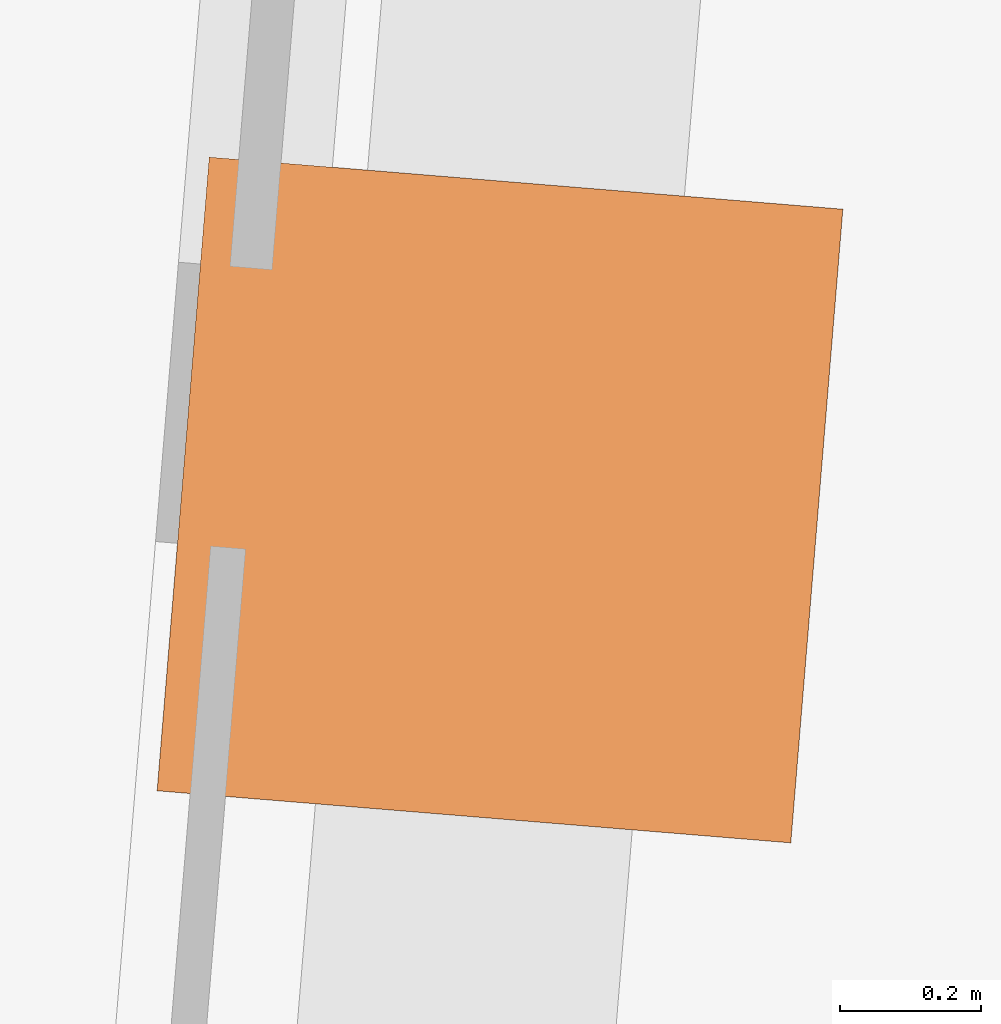
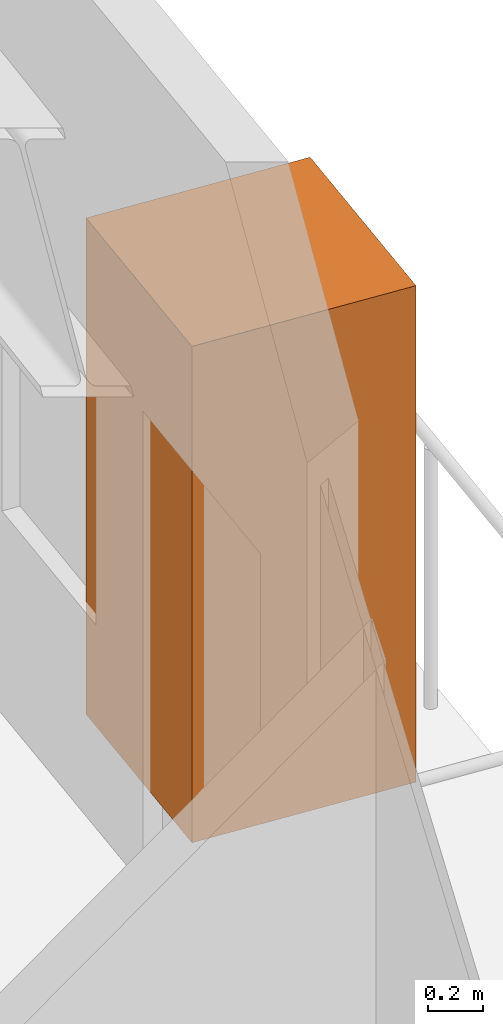
# One storey, part 9 of 9: 1 geographic element.
"""IFC4 building model written with IfcOpenShell, lengths in metres."""

from ifc_helpers import new_model, si_unit, direction, frame, origin, origin_2d, place, context, subcontext, project, spatial, rectangle, extrude, material, type_object, element, save


model = new_model("IFC4")

# Units and contexts
model_context = context("Model", 3, precision=1e-05, world=origin(), true_north=direction((0.0, 1.0)))
body_context = subcontext(model_context, "Body", "Model", "MODEL_VIEW")
ifc_project = project(units=[si_unit("LENGTHUNIT", "METRE"), si_unit("AREAUNIT", "SQUARE_METRE"), si_unit("VOLUMEUNIT", "CUBIC_METRE"), si_unit("PLANEANGLEUNIT", "RADIAN"), si_unit("MASSUNIT", "GRAM", prefix="KILO")], contexts=[model_context])

# Site, building, storey
site_placement = place(None, origin())
site = spatial("IfcSite", under=ifc_project, at=site_placement, CompositionType="ELEMENT")
building_placement = place(site_placement, origin())
building = spatial("IfcBuilding", under=site, at=building_placement, Name="Verdant Reach Tower", CompositionType="ELEMENT")
storey_placement = place(building_placement, frame((0.0, 0.0, 110.0)))
storey = spatial("IfcBuildingStorey", under=building, at=storey_placement, Name="L25", CompositionType="ELEMENT", Elevation=110.0)

# Geographic element
ifc_material = material(Name="Planting")
geographic_element_type = type_object("IfcGeographicElementType", Name="EN-TREE", PredefinedType="USERDEFINED", material=ifc_material)
geographic_element_placement = place(storey_placement, frame((24.1044921875, 42.398193359375, 0.39990234375), z_axis=(0.0, 0.0, 1.0), x_axis=(0.081915556724, 0.996639273542, 0.0)))
element("IfcGeographicElement", 1, at=geographic_element_placement, inside=storey, type_object=geographic_element_type, Name="Balcony tree, Yellow trumpet tree (Handroanthus albus), L25 1", ObjectType="TREE", PredefinedType="USERDEFINED", context=body_context, shape_type="SweptSolid", body=[
    extrude(rectangle(XDim=0.89990234375, YDim=0.89990234375, at=origin_2d()), origin(), (0.0, 0.0, 1.0), 2.199951171875),
])

save(model, "model.ifc")
